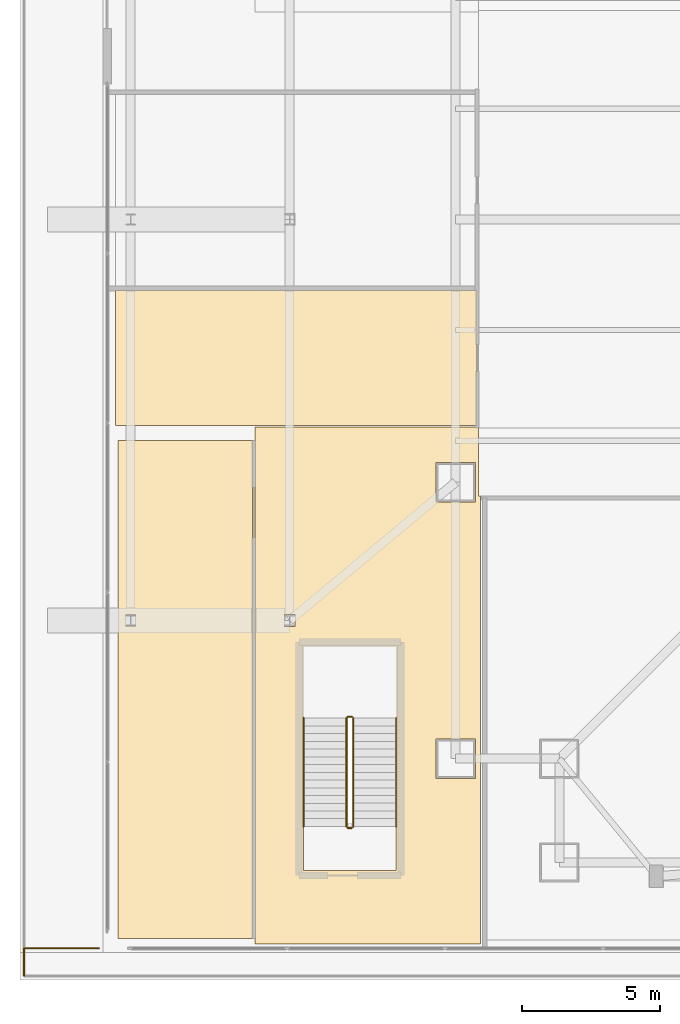
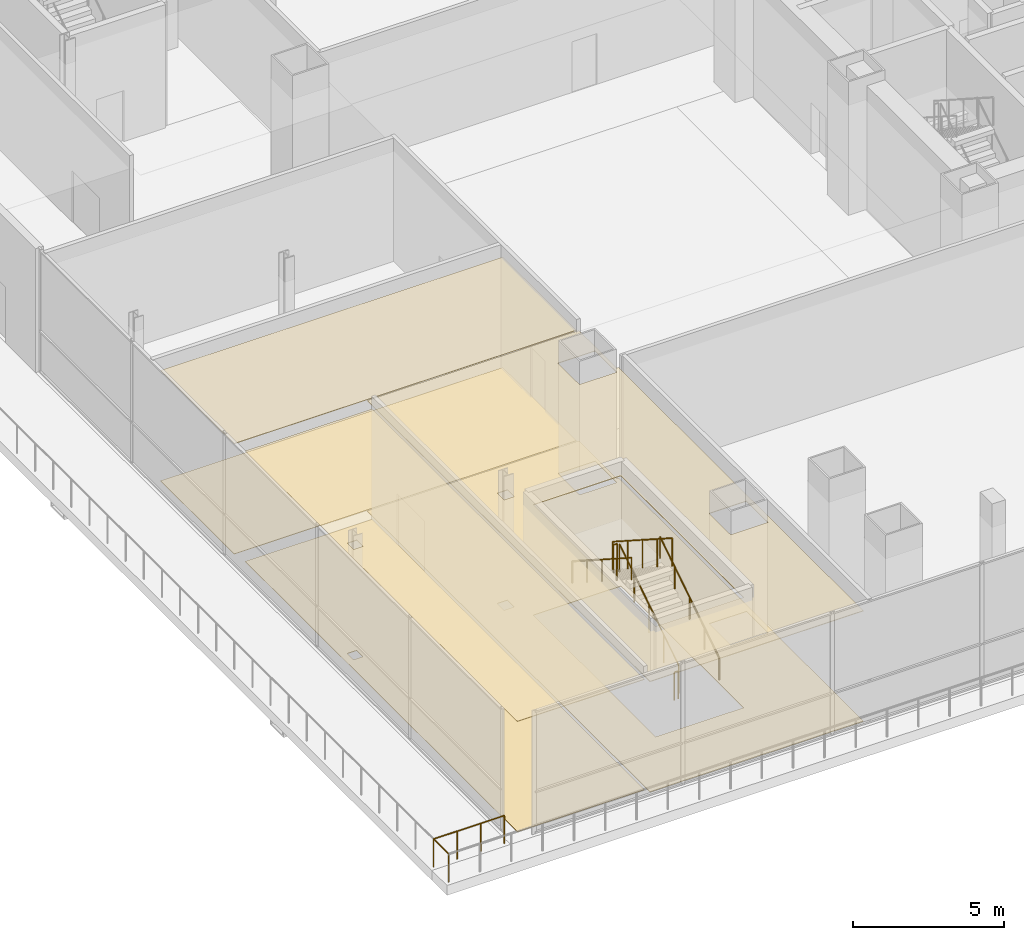
# One storey, part 26 of 35: 8 railings, 6 coverings.
"""IFC4 building model written with IfcOpenShell, lengths in metres."""

from ifc_helpers import new_model, si_unit, direction, frame, origin, origin_2d, place, context, subcontext, project, spatial, polyline, circle, outline, extrude, material, layer, layer_set, type_object, element, save


model = new_model("IFC4")

# Units and contexts
model_context = context("Model", 3, precision=1e-05, world=origin(), true_north=direction((0.0, 1.0)))
body_context = subcontext(model_context, "Body", "Model", "MODEL_VIEW")
ifc_project = project(units=[si_unit("LENGTHUNIT", "METRE"), si_unit("AREAUNIT", "SQUARE_METRE"), si_unit("VOLUMEUNIT", "CUBIC_METRE"), si_unit("PLANEANGLEUNIT", "RADIAN"), si_unit("MASSUNIT", "GRAM", prefix="KILO")], contexts=[model_context])

# Site, building, storey
site_placement = place(None, origin())
site = spatial("IfcSite", under=ifc_project, at=site_placement, CompositionType="ELEMENT")
building_placement = place(site_placement, origin())
building = spatial("IfcBuilding", under=site, at=building_placement, Name="Trevonay Congress Spire", CompositionType="ELEMENT")
storey_placement = place(building_placement, frame((0.0, 0.0, 10.800048828125)))
storey = spatial("IfcBuildingStorey", under=building, at=storey_placement, Name="L02", CompositionType="ELEMENT", Elevation=10.800048828125)

# Coverings
ifc_material_1 = material(Name="Acoustic Mineral Fibre Board", Category="gypsum")
ifc_layer_1 = layer(ifc_material_1, 0.02490234375, Name="Acoustic Mineral Fibre Board")
ifc_layer_set_1 = layer_set([ifc_layer_1], Name="Acoustic Mineral Fibre Board")
covering_type_1 = type_object("IfcCoveringType", Name="COV-CEIL-ACOUSTIC", PredefinedType="CEILING", material=ifc_layer_set_1)
covering_1_placement = place(storey_placement, frame((0.0, 0.0, 4.449951171875)))
element("IfcCovering", 1, at=covering_1_placement, inside=storey, type_object=covering_type_1, Name="L02 Symposium Seminar Room 1 acoustic suspended ceiling", PredefinedType="CEILING", context=body_context, shape_type="SweptSolid", body=[
    extrude(outline(polyline([(-35.550048828125, -7.449951171875), (-22.47998046875, -7.449951171875), (-22.47998046875, -2.580078125), (-35.550048828125, -2.580078125), (-35.550048828125, -7.449951171875)])), origin(), (0.0, 0.0, 1.0), 0.02490234375),
])
covering_2_placement = place(storey_placement, frame((0.0, 0.0, 4.449951171875)))
element("IfcCovering", 2, at=covering_2_placement, inside=storey, type_object=covering_type_1, Name="L02 L02 Stair Lobby SW acoustic suspended ceiling", PredefinedType="CEILING", context=body_context, shape_type="SweptSolid", body=[
    extrude(outline(polyline([(-30.5, -26.199951171875), (-30.5, -7.5), (-22.419921875, -7.5), (-22.419921875, -7.550048828125), (-22.419921875, -10.0), (-22.35009765625, -10.0), (-22.35009765625, -26.199951171875), (-30.5, -26.199951171875)]), holes=[polyline([(-22.5400390625, -20.2099609375), (-22.5400390625, -18.7900390625), (-23.9599609375, -18.7900390625), (-23.9599609375, -20.2099609375), (-22.5400390625, -20.2099609375)]), polyline([(-29.444091796875, -14.722412109375), (-29.055908203125, -14.722412109375), (-29.055908203125, -14.277587890625), (-29.444091796875, -14.277587890625), (-29.444091796875, -14.722412109375)]), polyline([(-23.9599609375, -10.2099609375), (-22.5400390625, -10.2099609375), (-22.5400390625, -8.7900390625), (-23.9599609375, -8.7900390625), (-23.9599609375, -10.2099609375)]), polyline([(-28.75, -15.449951171875), (-28.75, -23.550048828125), (-25.39990234375, -23.550048828125), (-25.39990234375, -15.449951171875), (-28.75, -15.449951171875)])]), origin(), (0.0, 0.0, 1.0), 0.02490234375),
])
covering_3_placement = place(storey_placement, frame((0.0, 0.0, 4.449951171875)))
element("IfcCovering", 3, at=covering_3_placement, inside=storey, type_object=covering_type_1, Name="L02 L02 South-West Exhibition Salon acoustic suspended ceiling", PredefinedType="CEILING", context=body_context, shape_type="SweptSolid", body=[
    extrude(outline(polyline([(-35.449951171875, -8.0), (-30.60009765625, -8.0), (-30.60009765625, -26.0), (-35.449951171875, -26.0), (-35.449951171875, -8.0)]), holes=[polyline([(-34.820068359375, -14.70654296875), (-34.820068359375, -14.29345703125), (-35.179931640625, -14.29345703125), (-35.179931640625, -14.70654296875), (-34.820068359375, -14.70654296875)])]), origin(), (0.0, 0.0, 1.0), 0.02490234375),
])
ifc_material_2 = material(Name="Polished Granite Floor Tile", Category="masonry")
ifc_layer_2 = layer(ifc_material_2, 0.02001953125, Name="Polished Granite Floor Tile")
ifc_layer_set_2 = layer_set([ifc_layer_2], Name="Polished Granite Floor Tile")
covering_type_2 = type_object("IfcCoveringType", Name="COV-FLOOR-STONE", PredefinedType="FLOORING", material=ifc_layer_set_2)
covering_4_placement = place(storey_placement, origin())
element("IfcCovering", 4, at=covering_4_placement, inside=storey, type_object=covering_type_2, Name="L02 L02 Stair Lobby SW floor finish", PredefinedType="FLOORING", context=body_context, shape_type="SweptSolid", body=[
    extrude(outline(polyline([(-30.5, -26.199951171875), (-30.5, -7.5), (-22.419921875, -7.5), (-22.419921875, -7.550048828125), (-22.419921875, -10.0), (-22.35009765625, -10.0), (-22.35009765625, -26.199951171875), (-30.5, -26.199951171875)]), holes=[polyline([(-22.5400390625, -20.2099609375), (-22.5400390625, -18.7900390625), (-23.9599609375, -18.7900390625), (-23.9599609375, -20.2099609375), (-22.5400390625, -20.2099609375)]), polyline([(-29.444091796875, -14.722412109375), (-29.055908203125, -14.722412109375), (-29.055908203125, -14.277587890625), (-29.444091796875, -14.277587890625), (-29.444091796875, -14.722412109375)]), polyline([(-23.9599609375, -10.2099609375), (-22.5400390625, -10.2099609375), (-22.5400390625, -8.7900390625), (-23.9599609375, -8.7900390625), (-23.9599609375, -10.2099609375)]), polyline([(-28.75, -15.449951171875), (-28.75, -23.550048828125), (-25.39990234375, -23.550048828125), (-25.39990234375, -15.449951171875), (-28.75, -15.449951171875)])]), origin(), (0.0, 0.0, 1.0), 0.02001953125),
])
ifc_material_3 = material(Name="Engineered Oak Flooring", Category="wood")
ifc_layer_3 = layer(ifc_material_3, 0.01806640625, Name="Engineered Oak Flooring")
ifc_layer_set_3 = layer_set([ifc_layer_3], Name="Engineered Oak Flooring")
covering_type_3 = type_object("IfcCoveringType", Name="COV-FLOOR-TIMBER", PredefinedType="FLOORING", material=ifc_layer_set_3)
covering_5_placement = place(storey_placement, origin())
element("IfcCovering", 5, at=covering_5_placement, inside=storey, type_object=covering_type_3, Name="L02 Symposium Seminar Room 1 floor finish", PredefinedType="FLOORING", context=body_context, shape_type="SweptSolid", body=[
    extrude(outline(polyline([(-35.550048828125, -7.449951171875), (-22.47998046875, -7.449951171875), (-22.47998046875, -2.580078125), (-35.550048828125, -2.580078125), (-35.550048828125, -7.449951171875)])), origin(), (0.0, 0.0, 1.0), 0.01806640625),
])
covering_6_placement = place(storey_placement, origin())
element("IfcCovering", 6, at=covering_6_placement, inside=storey, type_object=covering_type_3, Name="L02 L02 South-West Exhibition Salon floor finish", PredefinedType="FLOORING", context=body_context, shape_type="SweptSolid", body=[
    extrude(outline(polyline([(-35.449951171875, -8.0), (-30.60009765625, -8.0), (-30.60009765625, -26.0), (-35.449951171875, -26.0), (-35.449951171875, -8.0)]), holes=[polyline([(-34.820068359375, -14.70654296875), (-34.820068359375, -14.29345703125), (-35.179931640625, -14.29345703125), (-35.179931640625, -14.70654296875), (-34.820068359375, -14.70654296875)])]), origin(), (0.0, 0.0, 1.0), 0.01806640625),
])

# Railings
ifc_material_4 = material(Name="Pale Anodised Aluminium EN AW-6063-T6", Category="aluminium")
railing_type_1 = type_object("IfcRailingType", Name="RAL-EXT-GUARD-115", PredefinedType="GUARDRAIL", material=ifc_material_4)
railing_1_placement = place(storey_placement, frame((-38.85009765625, -26.35009765625, 0.0)))
element("IfcRailing", 7, at=railing_1_placement, inside=storey, type_object=railing_type_1, Name="L02 perimeter safety guard GRD-L02-TER-W-1", PredefinedType="GUARDRAIL", context=body_context, shape_type="SweptSolid", body=[
    extrude(circle(Radius=0.02392578125, at=origin_2d()), frame((0.0, 0.0, 1.1259765625), z_axis=(1.0, 0.0, 0.0), x_axis=(0.0, 1.0, 0.0)), (0.0, 0.0, 1.0), 2.7001953125),
    extrude(circle(Radius=0.02099609375, at=origin_2d()), origin(), (0.0, 0.0, 1.0), 1.101806640625),
    extrude(circle(Radius=0.02099609375, at=origin_2d()), frame((0.900146484375, 0.0, 0.0)), (0.0, 0.0, 1.0), 1.101806640625),
    extrude(circle(Radius=0.02099609375, at=origin_2d()), frame((1.800048828125, 0.0, 0.0)), (0.0, 0.0, 1.0), 1.101806640625),
    extrude(circle(Radius=0.02099609375, at=origin_2d()), frame((2.7001953125, 0.0, 0.0)), (0.0, 0.0, 1.0), 1.101806640625),
])
railing_2_placement = place(storey_placement, frame((-38.85009765625, -26.35009765625, 0.0)))
element("IfcRailing", 8, at=railing_2_placement, inside=storey, type_object=railing_type_1, Name="L02 perimeter safety guard GRD-L02-TER-S-1", PredefinedType="GUARDRAIL", context=body_context, shape_type="SweptSolid", body=[
    extrude(circle(Radius=0.02392578125, at=origin_2d()), frame((0.0, 0.0, 1.1259765625), z_axis=(0.0, -1.0, 0.0), x_axis=(1.0, 0.0, 0.0)), (0.0, 0.0, 1.0), 1.0),
    extrude(circle(Radius=0.02099609375, at=origin_2d()), origin(), (0.0, 0.0, 1.0), 1.101806640625),
    extrude(circle(Radius=0.02099609375, at=origin_2d()), frame((0.0, -1.0, 0.0)), (0.0, 0.0, 1.0), 1.101806640625),
])
railing_type_2 = type_object("IfcRailingType", Name="RAL-STAIR-GUARD-110", PredefinedType="GUARDRAIL", material=ifc_material_4)
railing_3_placement = place(storey_placement, frame((-26.949951171875, -21.949951171875, 0.179931640625)))
element("IfcRailing", 9, at=railing_3_placement, inside=storey, type_object=railing_type_2, Name="L02 ST-3 stair guard 1", PredefinedType="GUARDRAIL", context=body_context, shape_type="SweptSolid", body=[
    extrude(circle(Radius=0.02392578125, at=origin_2d()), frame((0.0, 0.0, 1.1259765625), z_axis=(0.0, 0.841171666519, 0.540768182723), x_axis=(-1.0, 0.0, 0.0)), (0.0, 0.0, 1.0), 4.66015625),
    extrude(circle(Radius=0.02099609375, at=origin_2d()), origin(), (0.0, 0.0, 1.0), 1.101806640625),
    extrude(circle(Radius=0.02099609375, at=origin_2d()), frame((0.0, 0.97998046875, 0.6298828125)), (0.0, 0.0, 1.0), 1.101806640625),
    extrude(circle(Radius=0.02099609375, at=origin_2d()), frame((0.0, 1.9599609375, 1.260009765625)), (0.0, 0.0, 1.0), 1.101806640625),
    extrude(circle(Radius=0.02099609375, at=origin_2d()), frame((0.0, 2.93994140625, 1.89013671875)), (0.0, 0.0, 1.0), 1.101806640625),
    extrude(circle(Radius=0.02099609375, at=origin_2d()), frame((0.0, 3.919921875, 2.52001953125)), (0.0, 0.0, 1.0), 1.101806640625),
])
railing_4_placement = place(storey_placement, frame((-27.0, -17.97998046875, 2.699951171875)))
element("IfcRailing", 10, at=railing_4_placement, inside=storey, type_object=railing_type_2, Name="L02 ST-3 stair guard 2", PredefinedType="GUARDRAIL", context=body_context, shape_type="SweptSolid", body=[
    extrude(circle(Radius=0.02392578125, at=origin_2d()), frame((0.0, 0.0, 1.1259765625), z_axis=(-1.0, 0.0, 0.0), x_axis=(0.0, -1.0, 0.0)), (0.0, 0.0, 1.0), 0.14990234375),
    extrude(circle(Radius=0.02099609375, at=origin_2d()), origin(), (0.0, 0.0, 1.0), 1.101806640625),
    extrude(circle(Radius=0.02099609375, at=origin_2d()), frame((-0.14990234375, 0.0, 0.0)), (0.0, 0.0, 1.0), 1.101806640625),
])
railing_5_placement = place(storey_placement, frame((-27.199951171875, -18.030029296875, 2.8798828125)))
element("IfcRailing", 11, at=railing_5_placement, inside=storey, type_object=railing_type_2, Name="L02 ST-3 stair guard 3", PredefinedType="GUARDRAIL", context=body_context, shape_type="SweptSolid", body=[
    extrude(circle(Radius=0.02392578125, at=origin_2d()), frame((0.0, 0.0, 1.1259765625), z_axis=(0.0, -0.841171666519, 0.540768182723), x_axis=(1.0, 0.0, 0.0)), (0.0, 0.0, 1.0), 4.66015625),
    extrude(circle(Radius=0.02099609375, at=origin_2d()), origin(), (0.0, 0.0, 1.0), 1.101806640625),
    extrude(circle(Radius=0.02099609375, at=origin_2d()), frame((0.0, -0.97998046875, 0.6298828125)), (0.0, 0.0, 1.0), 1.101806640625),
    extrude(circle(Radius=0.02099609375, at=origin_2d()), frame((0.0, -1.9599609375, 1.260009765625)), (0.0, 0.0, 1.0), 1.101806640625),
    extrude(circle(Radius=0.02099609375, at=origin_2d()), frame((0.0, -2.93994140625, 1.89013671875)), (0.0, 0.0, 1.0), 1.101806640625),
    extrude(circle(Radius=0.02099609375, at=origin_2d()), frame((0.0, -3.919921875, 2.52001953125)), (0.0, 0.0, 1.0), 1.101806640625),
])
railing_6_placement = place(storey_placement, frame((-27.0, -22.0, 0.0)))
element("IfcRailing", 12, at=railing_6_placement, inside=storey, type_object=railing_type_2, Name="L02 ST-3 stair guard 4", PredefinedType="GUARDRAIL", context=body_context, shape_type="SweptSolid", body=[
    extrude(circle(Radius=0.02392578125, at=origin_2d()), frame((0.0, 0.0, 1.1259765625), z_axis=(-1.0, 0.0, 0.0), x_axis=(0.0, -1.0, 0.0)), (0.0, 0.0, 1.0), 0.14990234375),
    extrude(circle(Radius=0.02099609375, at=origin_2d()), origin(), (0.0, 0.0, 1.0), 1.101806640625),
    extrude(circle(Radius=0.02099609375, at=origin_2d()), frame((-0.14990234375, 0.0, 0.0)), (0.0, 0.0, 1.0), 1.101806640625),
])
railing_type_3 = type_object("IfcRailingType", Name="RAL-STAIR-HANDRAIL", PredefinedType="HANDRAIL", material=ifc_material_4)
railing_7_placement = place(storey_placement, frame((-25.39990234375, -21.949951171875, 0.179931640625)))
element("IfcRailing", 13, at=railing_7_placement, inside=storey, type_object=railing_type_3, Name="L02 ST-3 stair handrail 1", PredefinedType="HANDRAIL", context=body_context, shape_type="SweptSolid", body=[
    extrude(circle(Radius=0.02392578125, at=origin_2d()), frame((0.0, 0.0, 0.8759765625), z_axis=(0.0, 0.841171666519, 0.540768182723), x_axis=(-1.0, 0.0, 0.0)), (0.0, 0.0, 1.0), 4.66015625),
    extrude(circle(Radius=0.02099609375, at=origin_2d()), origin(), (0.0, 0.0, 1.0), 0.851806640625),
    extrude(circle(Radius=0.02099609375, at=origin_2d()), frame((0.0, 0.97998046875, 0.6298828125)), (0.0, 0.0, 1.0), 0.851806640625),
    extrude(circle(Radius=0.02099609375, at=origin_2d()), frame((0.0, 1.9599609375, 1.260009765625)), (0.0, 0.0, 1.0), 0.851806640625),
    extrude(circle(Radius=0.02099609375, at=origin_2d()), frame((0.0, 2.93994140625, 1.89013671875)), (0.0, 0.0, 1.0), 0.851806640625),
    extrude(circle(Radius=0.02099609375, at=origin_2d()), frame((0.0, 3.919921875, 2.52001953125)), (0.0, 0.0, 1.0), 0.851806640625),
])
railing_8_placement = place(storey_placement, frame((-28.75, -18.030029296875, 2.8798828125)))
element("IfcRailing", 14, at=railing_8_placement, inside=storey, type_object=railing_type_3, Name="L02 ST-3 stair handrail 2", PredefinedType="HANDRAIL", context=body_context, shape_type="SweptSolid", body=[
    extrude(circle(Radius=0.02392578125, at=origin_2d()), frame((0.0, 0.0, 0.8759765625), z_axis=(0.0, -0.841171666519, 0.540768182723), x_axis=(1.0, 0.0, 0.0)), (0.0, 0.0, 1.0), 4.66015625),
    extrude(circle(Radius=0.02099609375, at=origin_2d()), origin(), (0.0, 0.0, 1.0), 0.851806640625),
    extrude(circle(Radius=0.02099609375, at=origin_2d()), frame((0.0, -0.97998046875, 0.6298828125)), (0.0, 0.0, 1.0), 0.851806640625),
    extrude(circle(Radius=0.02099609375, at=origin_2d()), frame((0.0, -1.9599609375, 1.260009765625)), (0.0, 0.0, 1.0), 0.851806640625),
    extrude(circle(Radius=0.02099609375, at=origin_2d()), frame((0.0, -2.93994140625, 1.89013671875)), (0.0, 0.0, 1.0), 0.851806640625),
    extrude(circle(Radius=0.02099609375, at=origin_2d()), frame((0.0, -3.919921875, 2.52001953125)), (0.0, 0.0, 1.0), 0.851806640625),
])

save(model, "model.ifc")
